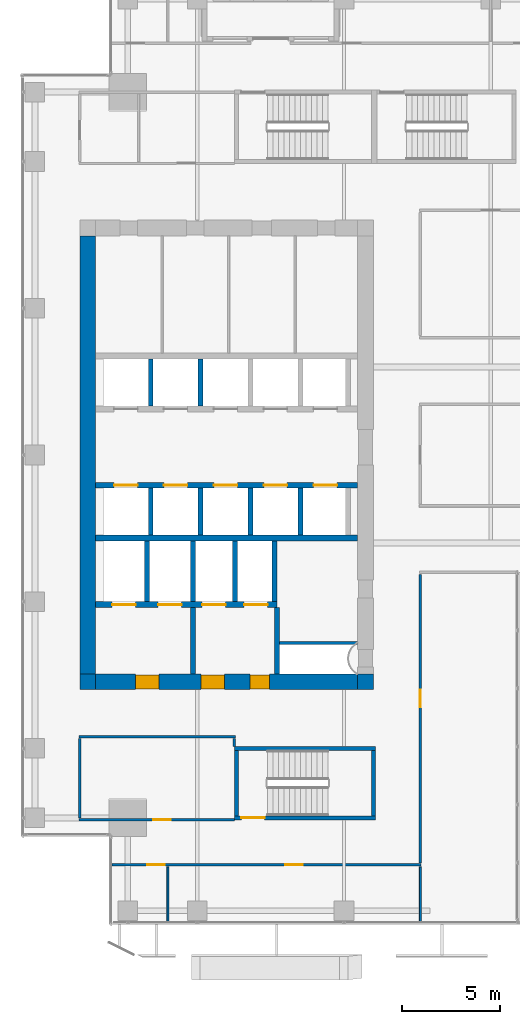
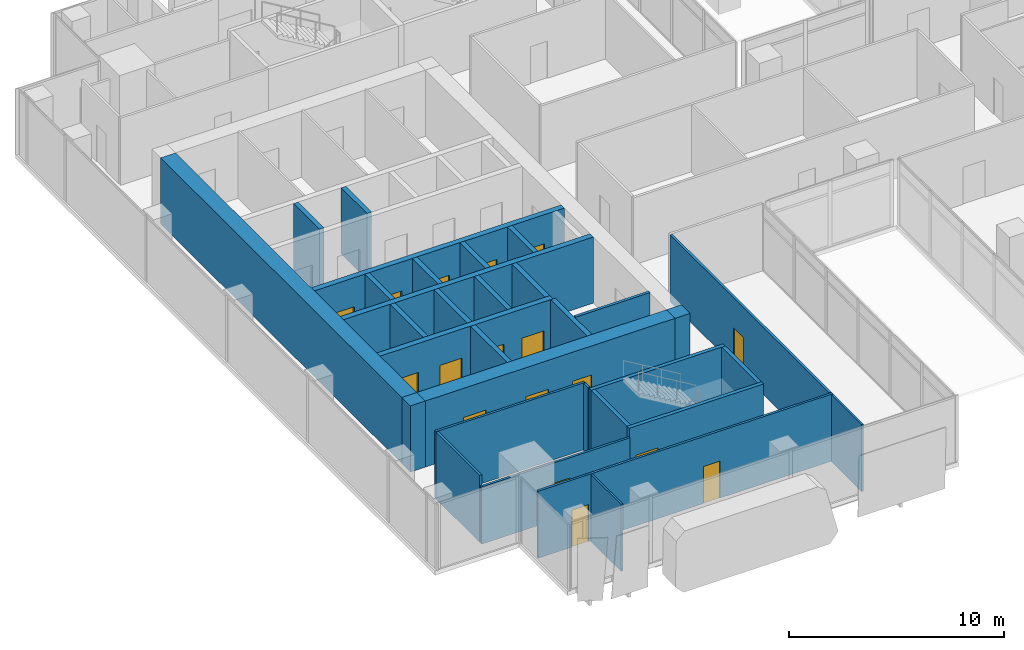
# One storey, part 34 of 40: 32 walls, 17 doors, 17 openings.
"""IFC4 building model written with IfcOpenShell, lengths in metres."""

from ifc_helpers import new_model, si_unit, direction, frame, frame_2d, origin, place, context, subcontext, project, spatial, rectangle, extrude, source, transform, mapped, material, layer, layer_set, type_object, element, fill, save


model = new_model("IFC4")

# Units and contexts
model_context = context("Model", 3, precision=1e-05, world=origin(), true_north=direction((0.0, 1.0)))
body_context = subcontext(model_context, "Body", "Model", "MODEL_VIEW")
ifc_project = project(units=[si_unit("LENGTHUNIT", "METRE"), si_unit("AREAUNIT", "SQUARE_METRE"), si_unit("VOLUMEUNIT", "CUBIC_METRE"), si_unit("PLANEANGLEUNIT", "RADIAN"), si_unit("MASSUNIT", "GRAM", prefix="KILO")], contexts=[model_context])

# Site, building, storey
site_placement = place(None, origin())
site = spatial("IfcSite", under=ifc_project, at=site_placement, CompositionType="ELEMENT")
building_placement = place(site_placement, origin())
building = spatial("IfcBuilding", under=site, at=building_placement, Name="Khomas Fold Tower", CompositionType="ELEMENT")
storey_placement = place(building_placement, frame((0.0, 0.0, 184.699951171875)))
storey = spatial("IfcBuildingStorey", under=building, at=storey_placement, Name="L40", CompositionType="ELEMENT", Elevation=184.699951171875)

# Wall, openings, doors
ifc_material_1 = material(Name="Concrete C60/75", Category="concrete")
ifc_layer_1 = layer(ifc_material_1, 0.800048828125)
ifc_layer_set_1 = layer_set([ifc_layer_1], Name="Concrete C60/75")
wall_type_1 = type_object("IfcWallType", Name="Core wall 800", PredefinedType="SHEAR", material=ifc_layer_set_1)
shared_shape_1 = source(origin(), body_context, "Body", "SweptSolid", [
    extrude(rectangle(XDim=13.39990234375, YDim=0.800048828125, at=frame_2d((6.699951171875, 0.0))), origin(), (0.0, 0.0, 1.0), 3.75),
])
wall_1_placement = place(storey_placement, frame((6.800048828125, 15.39990234375, 0.0), z_axis=(0.0, 0.0, 1.0), x_axis=(1.0, 0.0, 0.0)))
wall_1 = element("IfcWall", 1, at=wall_1_placement, inside=storey, type_object=wall_type_1, Name="Core wall CW-U-S-L35", PredefinedType="SHEAR", context=body_context, shape_type="MappedRepresentation", body=[
    mapped(shared_shape_1, transform((0.0, 0.0, 0.0))),
])
shared_shape_2 = source(origin(), body_context, "Body", "SweptSolid", [
    extrude(rectangle(XDim=1.199951171875, YDim=2.10009765625, at=frame_2d((0.60009765625, 1.050048828125))), frame((0.0, 0.409912109375, 0.0), z_axis=(0.0, -1.0, 0.0), x_axis=(1.0, 0.0, 0.0)), (0.0, 0.0, 1.0), 0.820068359375),
])
opening_1_placement = place(wall_1_placement, frame((5.39990234375, 0.0, 0.0)))
opening_1 = element("IfcOpeningElement", 2, at=opening_1_placement, cuts=wall_1, Name="Opening 0009", PredefinedType="OPENING", context=body_context, shape_type="MappedRepresentation", body=[
    mapped(shared_shape_2, transform((0.0, 0.0, 0.0))),
])
opening_2_placement = place(wall_1_placement, frame((2.050048828125, 0.0, 0.0)))
opening_2 = element("IfcOpeningElement", 3, at=opening_2_placement, cuts=wall_1, Name="Opening 0009", PredefinedType="OPENING", context=body_context, shape_type="MappedRepresentation", body=[
    mapped(shared_shape_2, transform((0.0, 0.0, 0.0))),
])
shared_shape_3 = source(origin(), body_context, "Body", "SweptSolid", [
    extrude(rectangle(XDim=1.0, YDim=2.10009765625, at=frame_2d((0.5, 1.050048828125))), frame((0.0, 0.409912109375, 0.0), z_axis=(0.0, -1.0, 0.0), x_axis=(1.0, 0.0, 0.0)), (0.0, 0.0, 1.0), 0.820068359375),
])
opening_3_placement = place(wall_1_placement, frame((7.89990234375, 0.0, 0.0)))
opening_3 = element("IfcOpeningElement", 4, at=opening_3_placement, cuts=wall_1, Name="Opening 0010", PredefinedType="OPENING", context=body_context, shape_type="MappedRepresentation", body=[
    mapped(shared_shape_3, transform((0.0, 0.0, 0.0))),
])
ifc_material_2 = material(Name="Steel door leaf", Category="steel")
door_type_1 = type_object("IfcDoorType", Name="Lobby door 1200x2100 right-hand", OperationType="SINGLE_SWING_RIGHT", PredefinedType="DOOR", material=ifc_material_2)
shared_shape_4 = source(origin(), body_context, "Body", "SweptSolid", [
    extrude(rectangle(XDim=1.199951171875, YDim=2.10009765625, at=frame_2d((0.60009765625, 1.050048828125))), frame((0.0, 0.35009765625, 0.0), z_axis=(0.0, -1.0, 0.0), x_axis=(1.0, 0.0, 0.0)), (0.0, 0.0, 1.0), 0.699951171875),
])
door_1_placement = place(opening_1_placement, origin())
door_1 = element("IfcDoor", 5, at=door_1_placement, inside=storey, type_object=door_type_1, Name="Lobby door", OperationType="SINGLE_SWING_RIGHT", OverallHeight=2.10009765625, OverallWidth=1.199951171875, PredefinedType="DOOR", context=body_context, shape_type="MappedRepresentation", body=[
    mapped(shared_shape_4, transform((0.0, 0.0, 0.0))),
])
fill(opening_1, door_1)
door_2_placement = place(opening_2_placement, origin())
door_2 = element("IfcDoor", 6, at=door_2_placement, inside=storey, type_object=door_type_1, Name="Lobby door", OperationType="SINGLE_SWING_RIGHT", OverallHeight=2.10009765625, OverallWidth=1.199951171875, PredefinedType="DOOR", context=body_context, shape_type="MappedRepresentation", body=[
    mapped(shared_shape_4, transform((0.0, 0.0, 0.0))),
])
fill(opening_2, door_2)
ifc_material_3 = material(Name="Steel door leaf", Category="steel")
door_type_2 = type_object("IfcDoorType", Name="Stair door 1000x2100 right-hand", OperationType="SINGLE_SWING_RIGHT", PredefinedType="DOOR", material=ifc_material_3)
shared_shape_5 = source(origin(), body_context, "Body", "SweptSolid", [
    extrude(rectangle(XDim=1.0, YDim=2.10009765625, at=frame_2d((0.5, 1.050048828125))), frame((0.0, 0.35009765625, 0.0), z_axis=(0.0, -1.0, 0.0), x_axis=(1.0, 0.0, 0.0)), (0.0, 0.0, 1.0), 0.699951171875),
])
door_3_placement = place(opening_3_placement, origin())
door_3 = element("IfcDoor", 7, at=door_3_placement, inside=storey, type_object=door_type_2, Name="Stair door", OperationType="SINGLE_SWING_RIGHT", OverallHeight=2.10009765625, OverallWidth=1.0, PredefinedType="DOOR", context=body_context, shape_type="MappedRepresentation", body=[
    mapped(shared_shape_5, transform((0.0, 0.0, 0.0))),
])
fill(opening_3, door_3)

# Walls
ifc_material_4 = material(Name="Concrete C60/75", Category="concrete")
ifc_layer_2 = layer(ifc_material_4, 0.800048828125)
ifc_layer_set_2 = layer_set([ifc_layer_2], Name="Concrete C60/75")
wall_type_2 = type_object("IfcWallType", Name="Core corner wall 800", PredefinedType="SHEAR", material=ifc_layer_set_2)
shared_shape_6 = source(origin(), body_context, "Body", "SweptSolid", [
    extrude(rectangle(XDim=0.800048828125, YDim=0.800048828125, at=frame_2d((0.39990234375, 0.0))), origin(), (0.0, 0.0, 1.0), 3.75),
])
for number, where, z_axis, x_axis, name in (
    (8, (20.199951171875, 15.39990234375, 0.0), (0.0, 0.0, 1.0), (1.0, 0.0, 0.0), "Core wall CW-U-SE-L35"),
    (9, (6.0, 15.39990234375, 0.0), (0.0, 0.0, 1.0), (1.0, 0.0, 0.0), "Core wall CW-U-SW-L35"),
):
    element("IfcWall", number, at=place(storey_placement, frame(where, z_axis=z_axis, x_axis=x_axis)), inside=storey, type_object=wall_type_2, Name=name, PredefinedType="SHEAR", context=body_context, shape_type="MappedRepresentation", body=[
        mapped(shared_shape_6, transform((0.0, 0.0, 0.0))),
    ])
shared_shape_7 = source(origin(), body_context, "Body", "SweptSolid", [
    extrude(rectangle(XDim=22.39990234375, YDim=0.800048828125, at=frame_2d((11.199951171875, 0.0))), origin(), (0.0, 0.0, 1.0), 3.75),
])
wall_2_placement = place(storey_placement, frame((6.39990234375, 15.800048828125, 0.0), z_axis=(0.0, 0.0, 1.0), x_axis=(0.0, 1.0, 0.0)))
element("IfcWall", 10, at=wall_2_placement, inside=storey, type_object=wall_type_1, Name="Core wall CW-U-W-L35", PredefinedType="SHEAR", context=body_context, shape_type="MappedRepresentation", body=[
    mapped(shared_shape_7, transform((0.0, 0.0, 0.0))),
])
ifc_material_5 = material(Name="Concrete C50/60", Category="concrete")
ifc_layer_3 = layer(ifc_material_5, 0.199951171875)
ifc_layer_set_3 = layer_set([ifc_layer_3], Name="Concrete C50/60")
wall_type_3 = type_object("IfcWallType", Name="Stair wall 200", PredefinedType="SHEAR", material=ifc_layer_set_3)
shared_shape_8 = source(origin(), body_context, "Body", "SweptSolid", [
    extrude(rectangle(XDim=7.2001953125, YDim=0.199951171875, at=frame_2d((3.60009765625, 0.0))), origin(), (0.0, 0.0, 1.0), 3.75),
])
wall_3_placement = place(storey_placement, frame((13.89990234375, 12.0, 0.0), z_axis=(0.0, 0.0, 1.0), x_axis=(1.0, 0.0, 0.0)))
element("IfcWall", 11, at=wall_3_placement, inside=storey, type_object=wall_type_3, Name="Stair wall SW-ST2-NH", PredefinedType="SHEAR", context=body_context, shape_type="MappedRepresentation", body=[
    mapped(shared_shape_8, transform((0.0, 0.0, 0.0))),
])

# Wall, opening, door
wall_4_placement = place(storey_placement, frame((13.89990234375, 8.449951171875, 0.0), z_axis=(0.0, 0.0, 1.0), x_axis=(1.0, 0.0, 0.0)))
wall_4 = element("IfcWall", 12, at=wall_4_placement, inside=storey, type_object=wall_type_3, Name="Stair wall SW-ST2-S", PredefinedType="SHEAR", context=body_context, shape_type="MappedRepresentation", body=[
    mapped(shared_shape_8, transform((0.0, 0.0, 0.0))),
])
shared_shape_9 = source(origin(), body_context, "Body", "SweptSolid", [
    extrude(rectangle(XDim=1.199951171875, YDim=2.10009765625, at=frame_2d((0.60009765625, 1.050048828125))), frame((0.0, 0.10986328125, 0.0), z_axis=(0.0, -1.0, 0.0), x_axis=(1.0, 0.0, 0.0)), (0.0, 0.0, 1.0), 0.219970703125),
])
opening_4_placement = place(wall_4_placement, frame((0.35009765625, 0.0, 0.0)))
opening_4 = element("IfcOpeningElement", 13, at=opening_4_placement, cuts=wall_4, Name="Opening SD-ST2", PredefinedType="OPENING", context=body_context, shape_type="MappedRepresentation", body=[
    mapped(shared_shape_9, transform((0.0, 0.0, 0.0))),
])
ifc_material_6 = material(Name="Steel door leaf", Category="steel")
door_type_3 = type_object("IfcDoorType", Name="Stair door 1200x2100 right-hand", OperationType="SINGLE_SWING_RIGHT", PredefinedType="DOOR", material=ifc_material_6)
shared_shape_10 = source(origin(), body_context, "Body", "SweptSolid", [
    extrude(rectangle(XDim=1.199951171875, YDim=2.10009765625, at=frame_2d((0.60009765625, 1.050048828125))), frame((0.0, 0.02490234375, 0.0), z_axis=(0.0, -1.0, 0.0), x_axis=(1.0, 0.0, 0.0)), (0.0, 0.0, 1.0), 0.050048828125),
])
door_4_placement = place(opening_4_placement, origin())
door_4 = element("IfcDoor", 14, at=door_4_placement, inside=storey, type_object=door_type_3, Name="Stair door", OperationType="SINGLE_SWING_RIGHT", OverallHeight=2.10009765625, OverallWidth=1.199951171875, PredefinedType="DOOR", context=body_context, shape_type="MappedRepresentation", body=[
    mapped(shared_shape_10, transform((0.0, 0.0, 0.0))),
])
fill(opening_4, door_4)

# Walls
shared_shape_11 = source(origin(), body_context, "Body", "SweptSolid", [
    extrude(rectangle(XDim=3.349853515625, YDim=0.199951171875, at=frame_2d((1.6748046875, 0.0))), origin(), (0.0, 0.0, 1.0), 3.75),
])
for number, where, z_axis, x_axis, name in (
    (15, (21.0, 8.550048828125, 0.0), (0.0, 0.0, 1.0), (0.0, 1.0, 0.0), "Stair wall SW-ST2-E"),
    (16, (14.0, 8.550048828125, 0.0), (0.0, 0.0, 1.0), (0.0, 1.0, 0.0), "Stair wall SW-ST2-W"),
):
    element("IfcWall", number, at=place(storey_placement, frame(where, z_axis=z_axis, x_axis=x_axis)), inside=storey, type_object=wall_type_3, Name=name, PredefinedType="SHEAR", context=body_context, shape_type="MappedRepresentation", body=[
        mapped(shared_shape_11, transform((0.0, 0.0, 0.0))),
    ])
ifc_material_7 = material(Name="Concrete C50/60", Category="concrete")
ifc_layer_4 = layer(ifc_material_7, 0.300048828125)
ifc_layer_set_4 = layer_set([ifc_layer_4], Name="Concrete C50/60")
wall_type_4 = type_object("IfcWallType", Name="Shaft wall 300", PredefinedType="STANDARD", material=ifc_layer_set_4)
shared_shape_12 = source(origin(), body_context, "Body", "SweptSolid", [
    extrude(rectangle(XDim=13.39990234375, YDim=0.300048828125, at=frame_2d((6.699951171875, 0.0))), origin(), (0.0, 0.0, 1.0), 3.75),
])
wall_5_placement = place(storey_placement, frame((6.800048828125, 22.75, 0.0), z_axis=(0.0, 0.0, 1.0), x_axis=(1.0, 0.0, 0.0)))
element("IfcWall", 17, at=wall_5_placement, inside=storey, type_object=wall_type_4, Name="Core wall SW-FS-B", PredefinedType="STANDARD", context=body_context, shape_type="MappedRepresentation", body=[
    mapped(shared_shape_12, transform((0.0, 0.0, 0.0))),
])

# Wall, openings, doors
wall_6_placement = place(storey_placement, frame((6.800048828125, 25.449951171875, 0.0), z_axis=(0.0, 0.0, 1.0), x_axis=(1.0, 0.0, 0.0)))
wall_6 = element("IfcWall", 18, at=wall_6_placement, inside=storey, type_object=wall_type_4, Name="Core wall SW-HRS-F", PredefinedType="STANDARD", context=body_context, shape_type="MappedRepresentation", body=[
    mapped(shared_shape_12, transform((0.0, 0.0, 0.0))),
])
shared_shape_13 = source(origin(), body_context, "Body", "SweptSolid", [
    extrude(rectangle(XDim=1.199951171875, YDim=2.10009765625, at=frame_2d((0.60009765625, 1.050048828125))), frame((0.0, 0.159912109375, 0.0), z_axis=(0.0, -1.0, 0.0), x_axis=(1.0, 0.0, 0.0)), (0.0, 0.0, 1.0), 0.320068359375),
])
opening_5_placement = place(wall_6_placement, frame((0.949951171875, 0.0, 0.0)))
opening_5 = element("IfcOpeningElement", 19, at=opening_5_placement, cuts=wall_6, Name="Opening LD-HR1", PredefinedType="OPENING", context=body_context, shape_type="MappedRepresentation", body=[
    mapped(shared_shape_13, transform((0.0, 0.0, 0.0))),
])
opening_6_placement = place(wall_6_placement, frame((3.5, 0.0, 0.0)))
opening_6 = element("IfcOpeningElement", 20, at=opening_6_placement, cuts=wall_6, Name="Opening LD-HR2", PredefinedType="OPENING", context=body_context, shape_type="MappedRepresentation", body=[
    mapped(shared_shape_13, transform((0.0, 0.0, 0.0))),
])
opening_7_placement = place(wall_6_placement, frame((6.050048828125, 0.0, 0.0)))
opening_7 = element("IfcOpeningElement", 21, at=opening_7_placement, cuts=wall_6, Name="Opening LD-HR3", PredefinedType="OPENING", context=body_context, shape_type="MappedRepresentation", body=[
    mapped(shared_shape_13, transform((0.0, 0.0, 0.0))),
])
opening_8_placement = place(wall_6_placement, frame((8.60009765625, 0.0, 0.0)))
opening_8 = element("IfcOpeningElement", 22, at=opening_8_placement, cuts=wall_6, Name="Opening LD-MR1", PredefinedType="OPENING", context=body_context, shape_type="MappedRepresentation", body=[
    mapped(shared_shape_13, transform((0.0, 0.0, 0.0))),
])
opening_9_placement = place(wall_6_placement, frame((11.14990234375, 0.0, 0.0)))
opening_9 = element("IfcOpeningElement", 23, at=opening_9_placement, cuts=wall_6, Name="Opening LD-MR2", PredefinedType="OPENING", context=body_context, shape_type="MappedRepresentation", body=[
    mapped(shared_shape_13, transform((0.0, 0.0, 0.0))),
])
ifc_material_8 = material(Name="Steel door leaf", Category="steel")
door_type_4 = type_object("IfcDoorType", Name="Landing door 1200x2100", OperationType="DOUBLE_DOOR_SLIDING", PredefinedType="DOOR", material=ifc_material_8)
door_5_placement = place(opening_5_placement, origin())
door_5 = element("IfcDoor", 24, at=door_5_placement, inside=storey, type_object=door_type_4, Name="Lift landing door", OperationType="DOUBLE_DOOR_SLIDING", OverallHeight=2.10009765625, OverallWidth=1.199951171875, PredefinedType="DOOR", context=body_context, shape_type="MappedRepresentation", body=[
    mapped(shared_shape_10, transform((0.0, 0.0, 0.0))),
])
fill(opening_5, door_5)
door_6_placement = place(opening_6_placement, origin())
door_6 = element("IfcDoor", 25, at=door_6_placement, inside=storey, type_object=door_type_4, Name="Lift landing door", OperationType="DOUBLE_DOOR_SLIDING", OverallHeight=2.10009765625, OverallWidth=1.199951171875, PredefinedType="DOOR", context=body_context, shape_type="MappedRepresentation", body=[
    mapped(shared_shape_10, transform((0.0, 0.0, 0.0))),
])
fill(opening_6, door_6)
door_7_placement = place(opening_7_placement, origin())
door_7 = element("IfcDoor", 26, at=door_7_placement, inside=storey, type_object=door_type_4, Name="Lift landing door", OperationType="DOUBLE_DOOR_SLIDING", OverallHeight=2.10009765625, OverallWidth=1.199951171875, PredefinedType="DOOR", context=body_context, shape_type="MappedRepresentation", body=[
    mapped(shared_shape_10, transform((0.0, 0.0, 0.0))),
])
fill(opening_7, door_7)
door_8_placement = place(opening_8_placement, origin())
door_8 = element("IfcDoor", 27, at=door_8_placement, inside=storey, type_object=door_type_4, Name="Lift landing door", OperationType="DOUBLE_DOOR_SLIDING", OverallHeight=2.10009765625, OverallWidth=1.199951171875, PredefinedType="DOOR", context=body_context, shape_type="MappedRepresentation", body=[
    mapped(shared_shape_10, transform((0.0, 0.0, 0.0))),
])
fill(opening_8, door_8)
door_9_placement = place(opening_9_placement, origin())
door_9 = element("IfcDoor", 28, at=door_9_placement, inside=storey, type_object=door_type_4, Name="Lift landing door", OperationType="DOUBLE_DOOR_SLIDING", OverallHeight=2.10009765625, OverallWidth=1.199951171875, PredefinedType="DOOR", context=body_context, shape_type="MappedRepresentation", body=[
    mapped(shared_shape_10, transform((0.0, 0.0, 0.0))),
])
fill(opening_9, door_9)

shared_shape_14 = source(origin(), body_context, "Body", "SweptSolid", [
    extrude(rectangle(XDim=9.27490234375, YDim=0.300048828125, at=frame_2d((4.637451171875, 0.0))), origin(), (0.0, 0.0, 1.0), 3.75),
])
wall_7_placement = place(storey_placement, frame((6.800048828125, 19.35009765625, 0.0), z_axis=(0.0, 0.0, 1.0), x_axis=(1.0, 0.0, 0.0)))
wall_7 = element("IfcWall", 29, at=wall_7_placement, inside=storey, type_object=wall_type_4, Name="Core wall SW-FS-F", PredefinedType="STANDARD", context=body_context, shape_type="MappedRepresentation", body=[
    mapped(shared_shape_14, transform((0.0, 0.0, 0.0))),
])
opening_10_placement = place(wall_7_placement, frame((0.85009765625, 0.0, 0.0)))
opening_10 = element("IfcOpeningElement", 30, at=opening_10_placement, cuts=wall_7, Name="Opening LD-SV1", PredefinedType="OPENING", context=body_context, shape_type="MappedRepresentation", body=[
    mapped(shared_shape_13, transform((0.0, 0.0, 0.0))),
])
opening_11_placement = place(wall_7_placement, frame((3.199951171875, 0.0, 0.0)))
opening_11 = element("IfcOpeningElement", 31, at=opening_11_placement, cuts=wall_7, Name="Opening LD-SV2", PredefinedType="OPENING", context=body_context, shape_type="MappedRepresentation", body=[
    mapped(shared_shape_13, transform((0.0, 0.0, 0.0))),
])
opening_12_placement = place(wall_7_placement, frame((5.449951171875, 0.0, 0.0)))
opening_12 = element("IfcOpeningElement", 32, at=opening_12_placement, cuts=wall_7, Name="Opening LD-FF1", PredefinedType="OPENING", context=body_context, shape_type="MappedRepresentation", body=[
    mapped(shared_shape_13, transform((0.0, 0.0, 0.0))),
])
opening_13_placement = place(wall_7_placement, frame((7.60009765625, 0.0, 0.0)))
opening_13 = element("IfcOpeningElement", 33, at=opening_13_placement, cuts=wall_7, Name="Opening LD-FF2", PredefinedType="OPENING", context=body_context, shape_type="MappedRepresentation", body=[
    mapped(shared_shape_13, transform((0.0, 0.0, 0.0))),
])
door_10_placement = place(opening_10_placement, origin())
door_10 = element("IfcDoor", 34, at=door_10_placement, inside=storey, type_object=door_type_4, Name="Lift landing door", OperationType="DOUBLE_DOOR_SLIDING", OverallHeight=2.10009765625, OverallWidth=1.199951171875, PredefinedType="DOOR", context=body_context, shape_type="MappedRepresentation", body=[
    mapped(shared_shape_10, transform((0.0, 0.0, 0.0))),
])
fill(opening_10, door_10)
door_11_placement = place(opening_11_placement, origin())
door_11 = element("IfcDoor", 35, at=door_11_placement, inside=storey, type_object=door_type_4, Name="Lift landing door", OperationType="DOUBLE_DOOR_SLIDING", OverallHeight=2.10009765625, OverallWidth=1.199951171875, PredefinedType="DOOR", context=body_context, shape_type="MappedRepresentation", body=[
    mapped(shared_shape_10, transform((0.0, 0.0, 0.0))),
])
fill(opening_11, door_11)
door_12_placement = place(opening_12_placement, origin())
door_12 = element("IfcDoor", 36, at=door_12_placement, inside=storey, type_object=door_type_4, Name="Lift landing door", OperationType="DOUBLE_DOOR_SLIDING", OverallHeight=2.10009765625, OverallWidth=1.199951171875, PredefinedType="DOOR", context=body_context, shape_type="MappedRepresentation", body=[
    mapped(shared_shape_10, transform((0.0, 0.0, 0.0))),
])
fill(opening_12, door_12)
door_13_placement = place(opening_13_placement, origin())
door_13 = element("IfcDoor", 37, at=door_13_placement, inside=storey, type_object=door_type_4, Name="Lift landing door", OperationType="DOUBLE_DOOR_SLIDING", OverallHeight=2.10009765625, OverallWidth=1.199951171875, PredefinedType="DOOR", context=body_context, shape_type="MappedRepresentation", body=[
    mapped(shared_shape_10, transform((0.0, 0.0, 0.0))),
])
fill(opening_13, door_13)

# Walls
ifc_material_9 = material(Name="Concrete C50/60", Category="concrete")
ifc_layer_5 = layer(ifc_material_9, 0.25)
ifc_layer_set_5 = layer_set([ifc_layer_5], Name="Concrete C50/60")
wall_type_5 = type_object("IfcWallType", Name="Shaft wall 250", PredefinedType="STANDARD", material=ifc_layer_set_5)
shared_shape_15 = source(origin(), body_context, "Body", "SweptSolid", [
    extrude(rectangle(XDim=3.10009765625, YDim=0.25, at=frame_2d((1.550048828125, 0.0))), origin(), (0.0, 0.0, 1.0), 3.75),
])
for number, where, z_axis, x_axis, name in (
    (38, (9.425048828125, 19.5, 0.0), (0.0, 0.0, 1.0), (0.0, 1.0, 0.0), "Core wall SW-FS-P1"),
    (39, (11.77490234375, 19.5, 0.0), (0.0, 0.0, 1.0), (0.0, 1.0, 0.0), "Core wall SW-FS-P2"),
    (40, (13.925048828125, 19.5, 0.0), (0.0, 0.0, 1.0), (0.0, 1.0, 0.0), "Core wall SW-FS-P3"),
    (41, (15.949951171875, 19.5, 0.0), (0.0, 0.0, 1.0), (0.0, 1.0, 0.0), "Core wall SW-FS-PE"),
):
    element("IfcWall", number, at=place(storey_placement, frame(where, z_axis=z_axis, x_axis=x_axis)), inside=storey, type_object=wall_type_5, Name=name, PredefinedType="STANDARD", context=body_context, shape_type="MappedRepresentation", body=[
        mapped(shared_shape_15, transform((0.0, 0.0, 0.0))),
    ])
shared_shape_16 = source(origin(), body_context, "Body", "SweptSolid", [
    extrude(rectangle(XDim=2.39990234375, YDim=0.25, at=frame_2d((1.199951171875, 0.0))), origin(), (0.0, 0.0, 1.0), 3.75),
])
for number, where, z_axis, x_axis, name in (
    (42, (9.625, 29.5, 0.0), (0.0, 0.0, 1.0), (0.0, 1.0, 0.0), "Core wall SW-HRN-P1"),
    (43, (12.175048828125, 29.5, 0.0), (0.0, 0.0, 1.0), (0.0, 1.0, 0.0), "Core wall SW-HRN-P2"),
):
    element("IfcWall", number, at=place(storey_placement, frame(where, z_axis=z_axis, x_axis=x_axis)), inside=storey, type_object=wall_type_5, Name=name, PredefinedType="STANDARD", context=body_context, shape_type="MappedRepresentation", body=[
        mapped(shared_shape_16, transform((0.0, 0.0, 0.0))),
    ])
shared_shape_17 = source(origin(), body_context, "Body", "SweptSolid", [
    extrude(rectangle(XDim=2.400146484375, YDim=0.25, at=frame_2d((1.2001953125, 0.0))), origin(), (0.0, 0.0, 1.0), 3.75),
])
for number, where, z_axis, x_axis, name in (
    (44, (17.27490234375, 22.89990234375, 0.0), (0.0, 0.0, 1.0), (0.0, 1.0, 0.0), "Core wall SW-HRS-MR-P1"),
    (45, (9.625, 22.89990234375, 0.0), (0.0, 0.0, 1.0), (0.0, 1.0, 0.0), "Core wall SW-HRS-P1"),
    (46, (12.175048828125, 22.89990234375, 0.0), (0.0, 0.0, 1.0), (0.0, 1.0, 0.0), "Core wall SW-HRS-P2"),
    (47, (14.72509765625, 22.89990234375, 0.0), (0.0, 0.0, 1.0), (0.0, 1.0, 0.0), "Core wall SW-HRS-PE"),
):
    element("IfcWall", number, at=place(storey_placement, frame(where, z_axis=z_axis, x_axis=x_axis)), inside=storey, type_object=wall_type_5, Name=name, PredefinedType="STANDARD", context=body_context, shape_type="MappedRepresentation", body=[
        mapped(shared_shape_17, transform((0.0, 0.0, 0.0))),
    ])
ifc_material_10 = material(Name="Concrete C50/60", Category="concrete")
ifc_layer_6 = layer(ifc_material_10, 0.25)
ifc_layer_set_6 = layer_set([ifc_layer_6], Name="Concrete C50/60")
wall_type_6 = type_object("IfcWallType", Name="Lobby wall 250", PredefinedType="STANDARD", material=ifc_layer_set_6)
shared_shape_18 = source(origin(), body_context, "Body", "SweptSolid", [
    extrude(rectangle(XDim=3.39990234375, YDim=0.25, at=frame_2d((1.699951171875, 0.0))), origin(), (0.0, 0.0, 1.0), 3.75),
])
for number, where, z_axis, x_axis, name in (
    (48, (16.074951171875, 15.800048828125, 0.0), (0.0, 0.0, 1.0), (0.0, 1.0, 0.0), "Core wall SW-FS-LOB-E"),
    (49, (11.77490234375, 15.800048828125, 0.0), (0.0, 0.0, 1.0), (0.0, 1.0, 0.0), "Core wall SW-FS-SEP"),
):
    element("IfcWall", number, at=place(storey_placement, frame(where, z_axis=z_axis, x_axis=x_axis)), inside=storey, type_object=wall_type_6, Name=name, PredefinedType="STANDARD", context=body_context, shape_type="MappedRepresentation", body=[
        mapped(shared_shape_18, transform((0.0, 0.0, 0.0))),
    ])

# Wall, opening, door
ifc_material_11 = material(Name="Plasterboard partition")
ifc_layer_7 = layer(ifc_material_11, 0.125)
ifc_layer_set_7 = layer_set([ifc_layer_7], Name="Plasterboard partition")
wall_type_7 = type_object("IfcWallType", Name="Partition PW2 125", PredefinedType="PARTITIONING", material=ifc_layer_set_7)
shared_shape_19 = source(origin(), body_context, "Body", "SweptSolid", [
    extrude(rectangle(XDim=7.949951171875, YDim=0.125, at=frame_2d((3.97509765625, 0.0))), origin(), (0.0, 0.0, 1.0), 3.25),
])
wall_8_placement = place(storey_placement, frame((5.949951171875, 8.35009765625, 0.0), z_axis=(0.0, 0.0, 1.0), x_axis=(1.0, 0.0, 0.0)))
wall_8 = element("IfcWall", 50, at=wall_8_placement, inside=storey, type_object=wall_type_7, Name="Partition", PredefinedType="PARTITIONING", context=body_context, shape_type="MappedRepresentation", body=[
    mapped(shared_shape_19, transform((0.0, 0.0, 0.0))),
])
shared_shape_20 = source(origin(), body_context, "Body", "SweptSolid", [
    extrude(rectangle(XDim=0.89990234375, YDim=2.10009765625, at=frame_2d((0.449951171875, 1.050048828125))), frame((0.0, 0.072509765625, 0.0), z_axis=(0.0, -1.0, 0.0), x_axis=(1.0, 0.0, 0.0)), (0.0, 0.0, 1.0), 0.14501953125),
])
opening_14_placement = place(wall_8_placement, frame((3.800048828125, 0.0, 0.0)))
opening_14 = element("IfcOpeningElement", 51, at=opening_14_placement, cuts=wall_8, Name="Opening 0007", PredefinedType="OPENING", context=body_context, shape_type="MappedRepresentation", body=[
    mapped(shared_shape_20, transform((0.0, 0.0, 0.0))),
])
ifc_material_12 = material(Name="Timber door leaf", Category="wood")
door_type_5 = type_object("IfcDoorType", Name="Door 900x2100 left-hand", OperationType="SINGLE_SWING_LEFT", PredefinedType="DOOR", material=ifc_material_12)
shared_shape_21 = source(origin(), body_context, "Body", "SweptSolid", [
    extrude(rectangle(XDim=0.89990234375, YDim=2.10009765625, at=frame_2d((0.449951171875, 1.050048828125))), frame((0.0, 0.02490234375, 0.0), z_axis=(0.0, -1.0, 0.0), x_axis=(1.0, 0.0, 0.0)), (0.0, 0.0, 1.0), 0.050048828125),
])
door_14_placement = place(opening_14_placement, origin())
door_14 = element("IfcDoor", 52, at=door_14_placement, inside=storey, type_object=door_type_5, Name="Door", OperationType="SINGLE_SWING_LEFT", OverallHeight=2.10009765625, OverallWidth=0.89990234375, PredefinedType="DOOR", context=body_context, shape_type="MappedRepresentation", body=[
    mapped(shared_shape_21, transform((0.0, 0.0, 0.0))),
])
fill(opening_14, door_14)

# Walls
shared_shape_22 = source(origin(), body_context, "Body", "SweptSolid", [
    extrude(rectangle(XDim=4.050048828125, YDim=0.125, at=frame_2d((2.02490234375, 0.0))), origin(), (0.0, 0.0, 1.0), 3.800048828125),
])
wall_9_placement = place(storey_placement, frame((6.0, 8.449951171875, 0.0), z_axis=(0.0, 0.0, 1.0), x_axis=(0.0, 1.0, 0.0)))
element("IfcWall", 53, at=wall_9_placement, inside=storey, type_object=wall_type_7, Name="Partition", PredefinedType="PARTITIONING", context=body_context, shape_type="MappedRepresentation", body=[
    mapped(shared_shape_22, transform((0.0, 0.0, 0.0))),
])
shared_shape_23 = source(origin(), body_context, "Body", "SweptSolid", [
    extrude(rectangle(XDim=0.39990234375, YDim=0.125, at=frame_2d((0.199951171875, 0.0))), origin(), (0.0, 0.0, 1.0), 3.800048828125),
])
wall_10_placement = place(storey_placement, frame((13.89990234375, 12.10009765625, 0.0), z_axis=(0.0, 0.0, 1.0), x_axis=(0.0, 1.0, 0.0)))
element("IfcWall", 54, at=wall_10_placement, inside=storey, type_object=wall_type_7, Name="Partition", PredefinedType="PARTITIONING", context=body_context, shape_type="MappedRepresentation", body=[
    mapped(shared_shape_23, transform((0.0, 0.0, 0.0))),
])
shared_shape_24 = source(origin(), body_context, "Body", "SweptSolid", [
    extrude(rectangle(XDim=8.0, YDim=0.125, at=frame_2d((4.0, 0.0))), origin(), (0.0, 0.0, 1.0), 3.800048828125),
])
wall_11_placement = place(storey_placement, frame((5.949951171875, 12.60009765625, 0.0), z_axis=(0.0, 0.0, 1.0), x_axis=(1.0, 0.0, 0.0)))
element("IfcWall", 55, at=wall_11_placement, inside=storey, type_object=wall_type_7, Name="Partition", PredefinedType="PARTITIONING", context=body_context, shape_type="MappedRepresentation", body=[
    mapped(shared_shape_24, transform((0.0, 0.0, 0.0))),
])
ifc_material_13 = material(Name="Plasterboard fire partition")
ifc_layer_8 = layer(ifc_material_13, 0.14990234375)
ifc_layer_set_8 = layer_set([ifc_layer_8], Name="Plasterboard fire partition")
wall_type_8 = type_object("IfcWallType", Name="Plant room wall PW3 150", PredefinedType="PARTITIONING", material=ifc_layer_set_8)
shared_shape_25 = source(origin(), body_context, "Body", "SweptSolid", [
    extrude(rectangle(XDim=4.0, YDim=0.14990234375, at=frame_2d((2.0, 0.0))), origin(), (0.0, 0.0, 1.0), 3.800048828125),
])
wall_12_placement = place(storey_placement, frame((16.199951171875, 17.39990234375, 0.0), z_axis=(0.0, 0.0, 1.0), x_axis=(1.0, 0.0, 0.0)))
element("IfcWall", 56, at=wall_12_placement, inside=storey, type_object=wall_type_8, Name="Plant room wall", PredefinedType="PARTITIONING", context=body_context, shape_type="MappedRepresentation", body=[
    mapped(shared_shape_25, transform((0.0, 0.0, 0.0))),
])
ifc_material_14 = material(Name="Plasterboard partition")
ifc_layer_9 = layer(ifc_material_14, 0.10009765625)
ifc_layer_set_9 = layer_set([ifc_layer_9], Name="Plasterboard partition")
wall_type_9 = type_object("IfcWallType", Name="Partition PW1 100", PredefinedType="PARTITIONING", material=ifc_layer_set_9)
shared_shape_26 = source(origin(), body_context, "Body", "SweptSolid", [
    extrude(rectangle(XDim=2.800048828125, YDim=0.10009765625, at=frame_2d((1.39990234375, 0.0))), origin(), (0.0, 0.0, 1.0), 3.800048828125),
])
for number, where, z_axis, x_axis, name in (
    (57, (10.5, 3.14990234375, 0.0), (0.0, 0.0, 1.0), (0.0, 1.0, 0.0), "Partition"),
    (58, (23.39990234375, 3.14990234375, 0.0), (0.0, 0.0, 1.0), (0.0, 1.0, 0.0), "Partition"),
):
    element("IfcWall", number, at=place(storey_placement, frame(where, z_axis=z_axis, x_axis=x_axis)), inside=storey, type_object=wall_type_9, Name=name, PredefinedType="PARTITIONING", context=body_context, shape_type="MappedRepresentation", body=[
        mapped(shared_shape_26, transform((0.0, 0.0, 0.0))),
    ])

# Wall, openings, doors
shared_shape_27 = source(origin(), body_context, "Body", "SweptSolid", [
    extrude(rectangle(XDim=15.800048828125, YDim=0.125, at=frame_2d((7.89990234375, 0.0))), origin(), (0.0, 0.0, 1.0), 3.800048828125),
])
wall_13_placement = place(storey_placement, frame((7.64990234375, 6.050048828125, 0.0), z_axis=(0.0, 0.0, 1.0), x_axis=(1.0, 0.0, 0.0)))
wall_13 = element("IfcWall", 59, at=wall_13_placement, inside=storey, type_object=wall_type_7, Name="Partition", PredefinedType="PARTITIONING", context=body_context, shape_type="MappedRepresentation", body=[
    mapped(shared_shape_27, transform((0.0, 0.0, 0.0))),
])
opening_15_placement = place(wall_13_placement, frame((1.800048828125, 0.0, 0.0)))
opening_15 = element("IfcOpeningElement", 60, at=opening_15_placement, cuts=wall_13, Name="Opening 0008", PredefinedType="OPENING", context=body_context, shape_type="MappedRepresentation", body=[
    mapped(shared_shape_20, transform((0.0, 0.0, 0.0))),
])
opening_16_placement = place(wall_13_placement, frame((8.85009765625, 0.0, 0.0)))
opening_16 = element("IfcOpeningElement", 61, at=opening_16_placement, cuts=wall_13, Name="Opening 0007", PredefinedType="OPENING", context=body_context, shape_type="MappedRepresentation", body=[
    mapped(shared_shape_20, transform((0.0, 0.0, 0.0))),
])
ifc_material_15 = material(Name="Timber door leaf", Category="wood")
door_type_6 = type_object("IfcDoorType", Name="Door 900x2100 right-hand", OperationType="SINGLE_SWING_RIGHT", PredefinedType="DOOR", material=ifc_material_15)
door_15_placement = place(opening_15_placement, origin())
door_15 = element("IfcDoor", 62, at=door_15_placement, inside=storey, type_object=door_type_6, Name="Door", OperationType="SINGLE_SWING_RIGHT", OverallHeight=2.10009765625, OverallWidth=0.89990234375, PredefinedType="DOOR", context=body_context, shape_type="MappedRepresentation", body=[
    mapped(shared_shape_21, transform((0.0, 0.0, 0.0))),
])
fill(opening_15, door_15)
door_16_placement = place(opening_16_placement, origin())
door_16 = element("IfcDoor", 63, at=door_16_placement, inside=storey, type_object=door_type_5, Name="Door", OperationType="SINGLE_SWING_LEFT", OverallHeight=2.10009765625, OverallWidth=0.89990234375, PredefinedType="DOOR", context=body_context, shape_type="MappedRepresentation", body=[
    mapped(shared_shape_21, transform((0.0, 0.0, 0.0))),
])
fill(opening_16, door_16)

# Wall, opening, door
shared_shape_28 = source(origin(), body_context, "Body", "SweptSolid", [
    extrude(rectangle(XDim=14.75, YDim=0.125, at=frame_2d((7.375, 0.0))), origin(), (0.0, 0.0, 1.0), 3.800048828125),
])
wall_14_placement = place(storey_placement, frame((23.39990234375, 6.14990234375, 0.0), z_axis=(0.0, 0.0, 1.0), x_axis=(0.0, 1.0, 0.0)))
wall_14 = element("IfcWall", 64, at=wall_14_placement, inside=storey, type_object=wall_type_7, Name="Partition", PredefinedType="PARTITIONING", context=body_context, shape_type="MappedRepresentation", body=[
    mapped(shared_shape_28, transform((0.0, 0.0, 0.0))),
])
opening_17_placement = place(wall_14_placement, frame((7.949951171875, 0.0, 0.0)))
opening_17 = element("IfcOpeningElement", 65, at=opening_17_placement, cuts=wall_14, Name="Opening 0007", PredefinedType="OPENING", context=body_context, shape_type="MappedRepresentation", body=[
    mapped(shared_shape_20, transform((0.0, 0.0, 0.0))),
])
door_17_placement = place(opening_17_placement, origin())
door_17 = element("IfcDoor", 66, at=door_17_placement, inside=storey, type_object=door_type_5, Name="Door", OperationType="SINGLE_SWING_LEFT", OverallHeight=2.10009765625, OverallWidth=0.89990234375, PredefinedType="DOOR", context=body_context, shape_type="MappedRepresentation", body=[
    mapped(shared_shape_21, transform((0.0, 0.0, 0.0))),
])
fill(opening_17, door_17)

save(model, "model.ifc")
